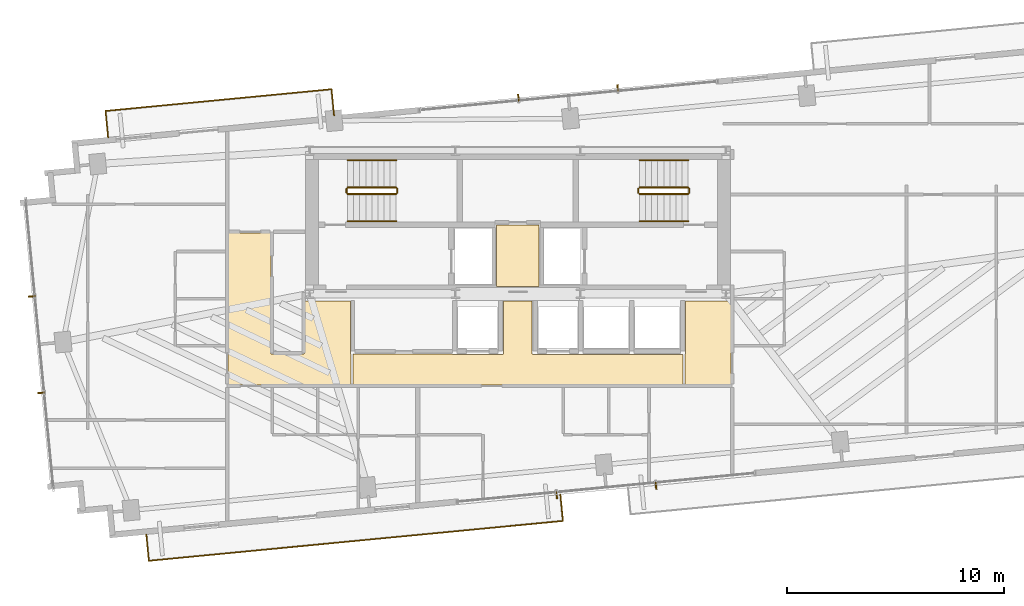
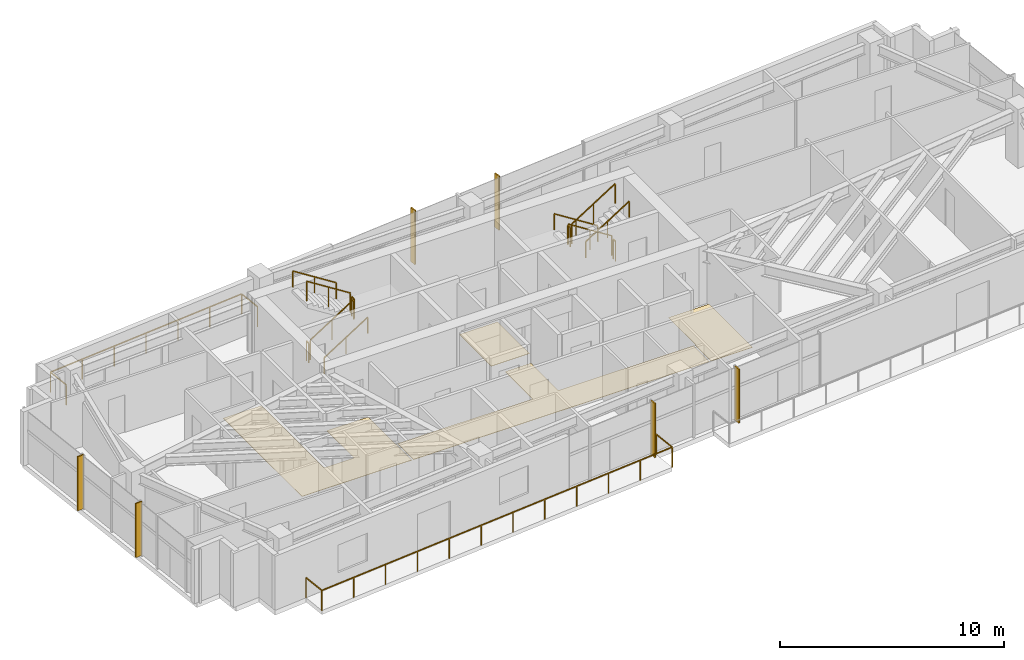
# One storey, part 17 of 18: 14 railings, 6 shading devices, 4 coverings.
"""IFC4 building model written with IfcOpenShell, lengths in metres."""

from ifc_helpers import new_model, si_unit, direction, frame, origin, origin_2d, place, context, subcontext, project, spatial, polyline, rectangle, outline, extrude, source, transform, mapped, material, layer, layer_set, type_object, type_shapes, element, save


model = new_model("IFC4")

# Units and contexts
model_context = context("Model", 3, precision=1e-05, world=origin(), true_north=direction((0.0, 1.0)))
body_context = subcontext(model_context, "Body", "Model", "MODEL_VIEW")
ifc_project = project(units=[si_unit("LENGTHUNIT", "METRE"), si_unit("AREAUNIT", "SQUARE_METRE"), si_unit("VOLUMEUNIT", "CUBIC_METRE"), si_unit("PLANEANGLEUNIT", "RADIAN"), si_unit("MASSUNIT", "GRAM", prefix="KILO")], contexts=[model_context])

# Site, building, storey
site_placement = place(None, origin())
site = spatial("IfcSite", under=ifc_project, at=site_placement, CompositionType="ELEMENT")
building_placement = place(site_placement, origin())
building = spatial("IfcBuilding", under=site, at=building_placement, Name="Astriad Promenade Condominiums", CompositionType="ELEMENT")
storey_placement = place(building_placement, frame((0.0, 0.0, 176.199951171875)))
storey = spatial("IfcBuildingStorey", under=building, at=storey_placement, Name="L50", CompositionType="ELEMENT", Elevation=176.199951171875)

# Coverings
ifc_material_1 = material(Name="Polished Lakefront Terrazzo Flooring")
ifc_layer = layer(ifc_material_1, 0.02001953125)
ifc_layer_set = layer_set([ifc_layer], Name="Polished Lakefront Terrazzo Flooring")
covering_type = type_object("IfcCoveringType", Name="COV-FLOR-TERRAZZO-20", PredefinedType="FLOORING", material=ifc_layer_set)
covering_1_placement = place(storey_placement, origin())
element("IfcCovering", 1, at=covering_1_placement, inside=storey, type_object=covering_type, Name="FLR-L50-CSL", PredefinedType="FLOORING", context=body_context, shape_type="SweptSolid", body=[
    extrude(outline(polyline([(36.97998046875, 17.739990234375), (35.02001953125, 17.739990234375), (35.02001953125, 20.580078125), (36.97998046875, 20.580078125), (36.97998046875, 17.739990234375)])), origin(), (0.0, 0.0, 1.0), 0.02001953125),
])
covering_2_placement = place(storey_placement, origin())
element("IfcCovering", 2, at=covering_2_placement, inside=storey, type_object=covering_type, Name="FLR-L50-LLB", PredefinedType="FLOORING", context=body_context, shape_type="SweptSolid", body=[
    extrude(outline(polyline([(32.9736328125, 14.6201171875), (32.974609375, 14.619140625), (32.977783203125, 14.61669921875), (32.981201171875, 14.61474609375), (32.984619140625, 14.613037109375), (32.98828125, 14.61181640625), (32.9921875, 14.61083984375), (32.99609375, 14.610107421875), (33.0, 14.610107421875), (35.300048828125, 14.610107421875), (35.303955078125, 14.610107421875), (35.307861328125, 14.61083984375), (35.3115234375, 14.61181640625), (35.315185546875, 14.613037109375), (35.31884765625, 14.61474609375), (35.322265625, 14.61669921875), (35.325439453125, 14.619140625), (35.328369140625, 14.62158203125), (35.330810546875, 14.62451171875), (35.333251953125, 14.627685546875), (35.335205078125, 14.631103515625), (35.3369140625, 14.634765625), (35.33837890625, 14.638427734375), (35.339111328125, 14.64208984375), (35.33984375, 14.64599609375), (35.340087890625, 14.64990234375), (35.340087890625, 17.06005859375), (36.659912109375, 17.06005859375), (36.659912109375, 14.64990234375), (36.66015625, 14.64599609375), (36.660888671875, 14.64208984375), (36.66162109375, 14.638427734375), (36.6630859375, 14.634765625), (36.664794921875, 14.631103515625), (36.666748046875, 14.627685546875), (36.669189453125, 14.62451171875), (36.671630859375, 14.62158203125), (36.674560546875, 14.619140625), (36.677734375, 14.61669921875), (36.68115234375, 14.61474609375), (36.684814453125, 14.613037109375), (36.6884765625, 14.61181640625), (36.692138671875, 14.61083984375), (36.696044921875, 14.610107421875), (36.699951171875, 14.610107421875), (43.610107421875, 14.610107421875), (43.610107421875, 13.18994140625), (28.389892578125, 13.18994140625), (28.389892578125, 14.6201171875), (32.9736328125, 14.6201171875)])), origin(), (0.0, 0.0, 1.0), 0.02001953125),
])
covering_3_placement = place(storey_placement, origin())
element("IfcCovering", 3, at=covering_3_placement, inside=storey, type_object=covering_type, Name="FLR-L50-COR-1", PredefinedType="FLOORING", context=body_context, shape_type="SweptSolid", body=[
    extrude(outline(polyline([(43.699951171875, 13.18994140625), (43.699951171875, 14.610107421875), (43.703857421875, 14.610107421875), (43.707763671875, 14.61083984375), (43.711669921875, 14.61181640625), (43.71533203125, 14.613037109375), (43.718994140625, 14.61474609375), (43.72216796875, 14.61669921875), (43.725341796875, 14.619140625), (43.728271484375, 14.62158203125), (43.73095703125, 14.62451171875), (43.7333984375, 14.627685546875), (43.7353515625, 14.631103515625), (43.737060546875, 14.634765625), (43.73828125, 14.638427734375), (43.7392578125, 14.64208984375), (43.73974609375, 14.64599609375), (43.739990234375, 14.64990234375), (43.739990234375, 17.06005859375), (45.840087890625, 17.06005859375), (45.840087890625, 13.18994140625), (43.699951171875, 13.18994140625)])), origin(), (0.0, 0.0, 1.0), 0.02001953125),
])
covering_4_placement = place(storey_placement, origin())
element("IfcCovering", 4, at=covering_4_placement, inside=storey, type_object=covering_type, Name="FLR-L50-COR-2", PredefinedType="FLOORING", context=body_context, shape_type="SweptSolid", body=[
    extrude(outline(polyline([(28.300048828125, 13.18994140625), (22.639892578125, 13.18994140625), (22.639892578125, 20.2099609375), (24.610107421875, 20.2099609375), (24.610107421875, 14.659912109375), (24.610107421875, 14.656005859375), (24.61083984375, 14.652099609375), (24.61181640625, 14.6484375), (24.613037109375, 14.644775390625), (24.61474609375, 14.64111328125), (24.61669921875, 14.6376953125), (24.619140625, 14.634521484375), (24.62158203125, 14.631591796875), (24.62451171875, 14.629150390625), (24.627685546875, 14.626708984375), (24.631103515625, 14.624755859375), (24.634765625, 14.623046875), (24.638427734375, 14.62158203125), (24.64208984375, 14.620849609375), (24.64599609375, 14.6201171875), (24.64990234375, 14.6201171875), (26.1201171875, 14.6201171875), (26.123779296875, 14.6201171875), (26.127685546875, 14.620849609375), (26.131591796875, 14.62158203125), (26.13525390625, 14.623046875), (26.138916015625, 14.624755859375), (26.14208984375, 14.626708984375), (26.1455078125, 14.629150390625), (26.148193359375, 14.631591796875), (26.15087890625, 14.634521484375), (26.1533203125, 14.6376953125), (26.1552734375, 14.64111328125), (26.156982421875, 14.644775390625), (26.158203125, 14.6484375), (26.1591796875, 14.652099609375), (26.159912109375, 14.656005859375), (26.159912109375, 14.659912109375), (26.159912109375, 17.06005859375), (28.280029296875, 17.06005859375), (28.280029296875, 14.659912109375), (28.2802734375, 14.656005859375), (28.28076171875, 14.652099609375), (28.28173828125, 14.6484375), (28.282958984375, 14.644775390625), (28.28466796875, 14.64111328125), (28.28662109375, 14.6376953125), (28.2890625, 14.634521484375), (28.291748046875, 14.631591796875), (28.294677734375, 14.629150390625), (28.2978515625, 14.626708984375), (28.300048828125, 14.62548828125), (28.300048828125, 13.18994140625)])), origin(), (0.0, 0.0, 1.0), 0.02001953125),
])

# Shading devices
ifc_material_2 = material(Name="Anodised aluminium 6063-T6 Black Fin", Category="aluminium")
shading_device_type = type_object("IfcShadingDeviceType", Name="FIN-BLACK-260", PredefinedType="USERDEFINED", material=ifc_material_2)
shared_shape_1 = source(origin(), body_context, "Body", "SweptSolid", [
    extrude(rectangle(XDim=0.06494140625, YDim=0.320068359375, at=origin_2d()), origin(), (0.0, 0.0, 1.0), 2.93994140625),
])
type_shapes(shading_device_type, [shared_shape_1])
for number, where, z_axis, x_axis, name in (
    (5, (14.021484375, 12.83203125, 0.0), (0.0, 0.0, 1.0), (-0.09584575252, 0.995396198367, 0.0), "CW-L50-W-FIN-01"),
    (6, (13.59326171875, 17.278076171875, 0.0), (0.0, 0.0, 1.0), (-0.09584575252, 0.995396198367, 0.0), "CW-L50-W-FIN-02"),
    (7, (36.02783203125, 26.447265625, 0.0), (0.0, 0.0, 1.0), (0.995396198367, 0.09584575252, 0.0), "CW-L50-N-FIN-01"),
    (8, (40.606689453125, 26.88818359375, 0.0), (0.0, 0.0, 1.0), (0.995396198367, 0.09584575252, 0.0), "CW-L50-N-FIN-02"),
    (9, (42.3720703125, 8.552734375, 0.0), (0.0, 0.0, 1.0), (-0.995396198367, -0.09584575252, 0.0), "CW-L50-S-FIN-01"),
    (10, (37.793212890625, 8.11181640625, 0.0), (0.0, 0.0, 1.0), (-0.995396198367, -0.09584575252, 0.0), "CW-L50-S-FIN-02"),
):
    element("IfcShadingDevice", number, at=place(storey_placement, frame(where, z_axis=z_axis, x_axis=x_axis)), inside=storey, type_object=shading_device_type, Name=name, ObjectType="FIN", PredefinedType="USERDEFINED", context=body_context, shape_type="MappedRepresentation", body=[
        mapped(shared_shape_1, transform((0.0, 0.0, 0.0), scale=1.0)),
    ])

# Railings
ifc_material_3 = material(Name="Laminated Glass and Stainless Steel Balustrade", Category="steel")
railing_type_1 = type_object("IfcRailingType", Name="GRD-BALC-1120", PredefinedType="BALUSTRADE", material=ifc_material_3)
shared_shape_2 = source(origin(), body_context, "Body", "SweptSolid", [
    extrude(rectangle(XDim=0.048095703125, YDim=0.048095703125, at=origin_2d()), frame((0.0, 0.0, 1.09619140625), z_axis=(0.095857307208, -0.99539508571, 0.0), x_axis=(0.99539508571, 0.095857307208, 0.0)), (0.0, 0.0, 1.0), 1.219970703125),
    extrude(rectangle(XDim=0.048095703125, YDim=0.048095703125, at=origin_2d()), frame((0.116943359375, -1.21435546875, 1.09619140625), z_axis=(0.995395680932, 0.095851126139, 0.0), x_axis=(-0.095851126139, 0.995395680932, 0.0)), (0.0, 0.0, 1.0), 19.18212890625),
    extrude(rectangle(XDim=0.048095703125, YDim=0.048095703125, at=origin_2d()), frame((19.210693359375, 0.624267578125, 1.09619140625), z_axis=(-0.095857307208, 0.99539508571, 0.0), x_axis=(-0.99539508571, -0.095857307208, 0.0)), (0.0, 0.0, 1.0), 1.219970703125),
    extrude(rectangle(XDim=0.0419921875, YDim=0.0419921875, at=origin_2d()), origin(), (0.0, 0.0, 1.0), 1.072021484375),
    extrude(rectangle(XDim=0.0419921875, YDim=0.0419921875, at=origin_2d()), frame((0.116943359375, -1.21435546875, 0.0)), (0.0, 0.0, 1.0), 1.072021484375),
    extrude(rectangle(XDim=0.0419921875, YDim=0.0419921875, at=origin_2d()), frame((1.852783203125, -1.047119140625, 0.0)), (0.0, 0.0, 1.0), 1.072021484375),
    extrude(rectangle(XDim=0.0419921875, YDim=0.0419921875, at=origin_2d()), frame((3.588623046875, -0.880126953125, 0.0)), (0.0, 0.0, 1.0), 1.072021484375),
    extrude(rectangle(XDim=0.0419921875, YDim=0.0419921875, at=origin_2d()), frame((5.32421875, -0.712890625, 0.0)), (0.0, 0.0, 1.0), 1.072021484375),
    extrude(rectangle(XDim=0.0419921875, YDim=0.0419921875, at=origin_2d()), frame((7.06005859375, -0.545654296875, 0.0)), (0.0, 0.0, 1.0), 1.072021484375),
    extrude(rectangle(XDim=0.0419921875, YDim=0.0419921875, at=origin_2d()), frame((8.7958984375, -0.378662109375, 0.0)), (0.0, 0.0, 1.0), 1.072021484375),
    extrude(rectangle(XDim=0.0419921875, YDim=0.0419921875, at=origin_2d()), frame((10.53173828125, -0.21142578125, 0.0)), (0.0, 0.0, 1.0), 1.072021484375),
    extrude(rectangle(XDim=0.0419921875, YDim=0.0419921875, at=origin_2d()), frame((12.267578125, -0.04443359375, 0.0)), (0.0, 0.0, 1.0), 1.072021484375),
    extrude(rectangle(XDim=0.0419921875, YDim=0.0419921875, at=origin_2d()), frame((14.00341796875, 0.122802734375, 0.0)), (0.0, 0.0, 1.0), 1.072021484375),
    extrude(rectangle(XDim=0.0419921875, YDim=0.0419921875, at=origin_2d()), frame((15.739013671875, 0.2900390625, 0.0)), (0.0, 0.0, 1.0), 1.072021484375),
    extrude(rectangle(XDim=0.0419921875, YDim=0.0419921875, at=origin_2d()), frame((17.474853515625, 0.45703125, 0.0)), (0.0, 0.0, 1.0), 1.072021484375),
    extrude(rectangle(XDim=0.0419921875, YDim=0.0419921875, at=origin_2d()), frame((19.210693359375, 0.624267578125, 0.0)), (0.0, 0.0, 1.0), 1.072021484375),
    extrude(rectangle(XDim=0.0419921875, YDim=0.0419921875, at=origin_2d()), frame((19.09375, 1.838623046875, 0.0)), (0.0, 0.0, 1.0), 1.072021484375),
])
railing_1_placement = place(storey_placement, frame((18.869873046875, 6.2998046875, 0.0)))
element("IfcRailing", 11, at=railing_1_placement, inside=storey, type_object=railing_type_1, Name="GRD-BALC-L50-SW", PredefinedType="BALUSTRADE", context=body_context, shape_type="MappedRepresentation", body=[
    mapped(shared_shape_2, transform((0.0, 0.0, 0.0), scale=1.0)),
])
shared_shape_3 = source(origin(), body_context, "Body", "SweptSolid", [
    extrude(rectangle(XDim=0.048095703125, YDim=0.048095703125, at=origin_2d()), frame((0.0, 0.0, 1.09619140625), z_axis=(-0.095857307208, 0.99539508571, 0.0), x_axis=(-0.99539508571, -0.095857307208, 0.0)), (0.0, 0.0, 1.0), 1.219970703125),
    extrude(rectangle(XDim=0.048095703125, YDim=0.048095703125, at=origin_2d()), frame((-0.116943359375, 1.21435546875, 1.09619140625), z_axis=(-0.99539684484, -0.095839038403, 0.0), x_axis=(0.095839038403, -0.99539684484, 0.0)), (0.0, 0.0, 1.0), 10.4697265625),
    extrude(rectangle(XDim=0.048095703125, YDim=0.048095703125, at=origin_2d()), frame((-10.53857421875, 0.2109375, 1.09619140625), z_axis=(0.095659020692, -0.99541416092, 0.0), x_axis=(0.99541416092, 0.095659020692, 0.0)), (0.0, 0.0, 1.0), 1.219970703125),
    extrude(rectangle(XDim=0.0419921875, YDim=0.0419921875, at=origin_2d()), origin(), (0.0, 0.0, 1.0), 1.072021484375),
    extrude(rectangle(XDim=0.0419921875, YDim=0.0419921875, at=origin_2d()), frame((-0.116943359375, 1.21435546875, 0.0)), (0.0, 0.0, 1.0), 1.072021484375),
    extrude(rectangle(XDim=0.0419921875, YDim=0.0419921875, at=origin_2d()), frame((-1.85400390625, 1.047119140625, 0.0)), (0.0, 0.0, 1.0), 1.072021484375),
    extrude(rectangle(XDim=0.0419921875, YDim=0.0419921875, at=origin_2d()), frame((-3.5908203125, 0.8798828125, 0.0)), (0.0, 0.0, 1.0), 1.072021484375),
    extrude(rectangle(XDim=0.0419921875, YDim=0.0419921875, at=origin_2d()), frame((-5.32763671875, 0.712646484375, 0.0)), (0.0, 0.0, 1.0), 1.072021484375),
    extrude(rectangle(XDim=0.0419921875, YDim=0.0419921875, at=origin_2d()), frame((-7.064697265625, 0.54541015625, 0.0)), (0.0, 0.0, 1.0), 1.072021484375),
    extrude(rectangle(XDim=0.0419921875, YDim=0.0419921875, at=origin_2d()), frame((-8.8017578125, 0.378173828125, 0.0)), (0.0, 0.0, 1.0), 1.072021484375),
    extrude(rectangle(XDim=0.0419921875, YDim=0.0419921875, at=origin_2d()), frame((-10.53857421875, 0.2109375, 0.0)), (0.0, 0.0, 1.0), 1.072021484375),
    extrude(rectangle(XDim=0.0419921875, YDim=0.0419921875, at=origin_2d()), frame((-10.421875, -1.00341796875, 0.0)), (0.0, 0.0, 1.0), 1.072021484375),
])
type_shapes(railing_type_1, [shared_shape_2, shared_shape_3])
railing_2_placement = place(storey_placement, frame((27.528076171875, 25.61865234375, 0.0)))
element("IfcRailing", 12, at=railing_2_placement, inside=storey, type_object=railing_type_1, Name="GRD-BALC-L50-NW", PredefinedType="BALUSTRADE", context=body_context, shape_type="MappedRepresentation", body=[
    mapped(shared_shape_3, transform((0.0, 0.0, 0.0), scale=1.0)),
])
ifc_material_4 = material(Name="Painted Galvanised Steel Guardrail", Category="steel")
railing_type_2 = type_object("IfcRailingType", Name="GRD-STAIR-1100", PredefinedType="GUARDRAIL", material=ifc_material_4)
shared_shape_4 = source(origin(), body_context, "Body", "SweptSolid", [
    extrude(rectangle(XDim=0.048095703125, YDim=0.048095703125, at=origin_2d()), frame((0.0, 0.0, 1.076171875), z_axis=(0.0, 1.0, 0.0), x_axis=(-1.0, 0.0, 0.0)), (0.0, 0.0, 1.0), 0.199951171875),
    extrude(rectangle(XDim=0.0419921875, YDim=0.0419921875, at=origin_2d()), origin(), (0.0, 0.0, 1.0), 1.052001953125),
    extrude(rectangle(XDim=0.0419921875, YDim=0.0419921875, at=origin_2d()), frame((0.0, 0.199951171875, 0.0)), (0.0, 0.0, 1.0), 1.052001953125),
])
for number, where, name in (
    (13, (30.43994140625, 22.050048828125, 1.60009765625), "L50 ST-1 stair guard 2"),
    (14, (28.10009765625, 22.050048828125, 0.0), "L50 ST-1 stair guard 4"),
):
    element("IfcRailing", number, at=place(storey_placement, frame(where)), inside=storey, type_object=railing_type_2, Name=name, PredefinedType="GUARDRAIL", context=body_context, shape_type="MappedRepresentation", body=[
        mapped(shared_shape_4, transform((0.0, 0.0, 0.0), scale=1.0)),
    ])
shared_shape_5 = source(origin(), body_context, "Body", "SweptSolid", [
    extrude(rectangle(XDim=0.048095703125, YDim=0.048095703125, at=origin_2d()), frame((0.0, 0.0, 1.076171875), z_axis=(0.84418770128, 0.0, 0.536047689118), x_axis=(0.0, 1.0, 0.0)), (0.0, 0.0, 1.0), 2.6533203125),
    extrude(rectangle(XDim=0.0419921875, YDim=0.0419921875, at=origin_2d()), origin(), (0.0, 0.0, 1.0), 1.052001953125),
    extrude(rectangle(XDim=0.0419921875, YDim=0.0419921875, at=origin_2d()), frame((1.1201171875, 0.0, 0.711181640625)), (0.0, 0.0, 1.0), 1.052001953125),
    extrude(rectangle(XDim=0.0419921875, YDim=0.0419921875, at=origin_2d()), frame((2.239990234375, 0.0, 1.42236328125)), (0.0, 0.0, 1.0), 1.052001953125),
])
railing_3_placement = place(storey_placement, frame((28.14990234375, 22.0, 0.177734375)))
element("IfcRailing", 15, at=railing_3_placement, inside=storey, type_object=railing_type_2, Name="L50 ST-1 stair guard 1", PredefinedType="GUARDRAIL", context=body_context, shape_type="MappedRepresentation", body=[
    mapped(shared_shape_5, transform((0.0, 0.0, 0.0), scale=1.0)),
])
shared_shape_6 = source(origin(), body_context, "Body", "SweptSolid", [
    extrude(rectangle(XDim=0.048095703125, YDim=0.048095703125, at=origin_2d()), frame((0.0, 0.0, 1.076171875), z_axis=(-0.8442293374, 0.0, 0.53598211339), x_axis=(0.0, -1.0, 0.0)), (0.0, 0.0, 1.0), 2.6533203125),
    extrude(rectangle(XDim=0.0419921875, YDim=0.0419921875, at=origin_2d()), origin(), (0.0, 0.0, 1.0), 1.052001953125),
    extrude(rectangle(XDim=0.0419921875, YDim=0.0419921875, at=origin_2d()), frame((-1.1201171875, 0.0, 0.7109375)), (0.0, 0.0, 1.0), 1.052001953125),
    extrude(rectangle(XDim=0.0419921875, YDim=0.0419921875, at=origin_2d()), frame((-2.239990234375, 0.0, 1.422119140625)), (0.0, 0.0, 1.0), 1.052001953125),
])
railing_4_placement = place(storey_placement, frame((30.389892578125, 22.300048828125, 1.77783203125)))
element("IfcRailing", 16, at=railing_4_placement, inside=storey, type_object=railing_type_2, Name="L50 ST-1 stair guard 3", PredefinedType="GUARDRAIL", context=body_context, shape_type="MappedRepresentation", body=[
    mapped(shared_shape_6, transform((0.0, 0.0, 0.0), scale=1.0)),
])
ifc_material_5 = material(Name="Brushed Stainless Steel Handrail", Category="steel")
railing_type_3 = type_object("IfcRailingType", Name="HRL-STAIR-920", PredefinedType="HANDRAIL", material=ifc_material_5)
shared_shape_7 = source(origin(), body_context, "Body", "SweptSolid", [
    extrude(rectangle(XDim=0.048095703125, YDim=0.048095703125, at=origin_2d()), frame((0.0, 0.0, 0.8759765625), z_axis=(0.84418770128, 0.0, 0.536047689118), x_axis=(0.0, 1.0, 0.0)), (0.0, 0.0, 1.0), 2.6533203125),
    extrude(rectangle(XDim=0.0419921875, YDim=0.0419921875, at=origin_2d()), origin(), (0.0, 0.0, 1.0), 0.851806640625),
    extrude(rectangle(XDim=0.0419921875, YDim=0.0419921875, at=origin_2d()), frame((1.1201171875, 0.0, 0.711181640625)), (0.0, 0.0, 1.0), 0.851806640625),
    extrude(rectangle(XDim=0.0419921875, YDim=0.0419921875, at=origin_2d()), frame((2.239990234375, 0.0, 1.42236328125)), (0.0, 0.0, 1.0), 0.851806640625),
])
railing_5_placement = place(storey_placement, frame((28.14990234375, 20.75, 0.177734375)))
element("IfcRailing", 17, at=railing_5_placement, inside=storey, type_object=railing_type_3, Name="L50 ST-1 stair handrail 1", PredefinedType="HANDRAIL", context=body_context, shape_type="MappedRepresentation", body=[
    mapped(shared_shape_7, transform((0.0, 0.0, 0.0), scale=1.0)),
])
shared_shape_8 = source(origin(), body_context, "Body", "SweptSolid", [
    extrude(rectangle(XDim=0.048095703125, YDim=0.048095703125, at=origin_2d()), frame((0.0, 0.0, 0.8759765625), z_axis=(-0.8442293374, 0.0, 0.53598211339), x_axis=(0.0, -1.0, 0.0)), (0.0, 0.0, 1.0), 2.6533203125),
    extrude(rectangle(XDim=0.0419921875, YDim=0.0419921875, at=origin_2d()), origin(), (0.0, 0.0, 1.0), 0.851806640625),
    extrude(rectangle(XDim=0.0419921875, YDim=0.0419921875, at=origin_2d()), frame((-1.1201171875, 0.0, 0.7109375)), (0.0, 0.0, 1.0), 0.851806640625),
    extrude(rectangle(XDim=0.0419921875, YDim=0.0419921875, at=origin_2d()), frame((-2.239990234375, 0.0, 1.422119140625)), (0.0, 0.0, 1.0), 0.851806640625),
])
railing_6_placement = place(storey_placement, frame((30.389892578125, 23.550048828125, 1.77783203125)))
element("IfcRailing", 18, at=railing_6_placement, inside=storey, type_object=railing_type_3, Name="L50 ST-1 stair handrail 2", PredefinedType="HANDRAIL", context=body_context, shape_type="MappedRepresentation", body=[
    mapped(shared_shape_8, transform((0.0, 0.0, 0.0), scale=1.0)),
])
shared_shape_9 = source(origin(), body_context, "Body", "SweptSolid", [
    extrude(rectangle(XDim=0.048095703125, YDim=0.048095703125, at=origin_2d()), frame((0.0, 0.0, 1.076171875), z_axis=(0.8442293374, 0.0, 0.53598211339), x_axis=(0.0, 1.0, 0.0)), (0.0, 0.0, 1.0), 2.6533203125),
    extrude(rectangle(XDim=0.0419921875, YDim=0.0419921875, at=origin_2d()), origin(), (0.0, 0.0, 1.0), 1.052001953125),
    extrude(rectangle(XDim=0.0419921875, YDim=0.0419921875, at=origin_2d()), frame((1.1201171875, 0.0, 0.7109375)), (0.0, 0.0, 1.0), 1.052001953125),
    extrude(rectangle(XDim=0.0419921875, YDim=0.0419921875, at=origin_2d()), frame((2.239990234375, 0.0, 1.422119140625)), (0.0, 0.0, 1.0), 1.052001953125),
])
railing_7_placement = place(storey_placement, frame((41.610107421875, 22.0, 1.77783203125)))
element("IfcRailing", 19, at=railing_7_placement, inside=storey, type_object=railing_type_2, Name="L50 ST-2 stair guard 3", PredefinedType="GUARDRAIL", context=body_context, shape_type="MappedRepresentation", body=[
    mapped(shared_shape_9, transform((0.0, 0.0, 0.0), scale=1.0)),
])
shared_shape_10 = source(origin(), body_context, "Body", "SweptSolid", [
    extrude(rectangle(XDim=0.048095703125, YDim=0.048095703125, at=origin_2d()), frame((0.0, 0.0, 1.076171875), z_axis=(-0.84418770128, 0.0, 0.536047689118), x_axis=(0.0, -1.0, 0.0)), (0.0, 0.0, 1.0), 2.6533203125),
    extrude(rectangle(XDim=0.0419921875, YDim=0.0419921875, at=origin_2d()), origin(), (0.0, 0.0, 1.0), 1.052001953125),
    extrude(rectangle(XDim=0.0419921875, YDim=0.0419921875, at=origin_2d()), frame((-1.1201171875, 0.0, 0.711181640625)), (0.0, 0.0, 1.0), 1.052001953125),
    extrude(rectangle(XDim=0.0419921875, YDim=0.0419921875, at=origin_2d()), frame((-2.239990234375, 0.0, 1.42236328125)), (0.0, 0.0, 1.0), 1.052001953125),
])
railing_8_placement = place(storey_placement, frame((43.85009765625, 22.300048828125, 0.177734375)))
element("IfcRailing", 20, at=railing_8_placement, inside=storey, type_object=railing_type_2, Name="L50 ST-2 stair guard 1", PredefinedType="GUARDRAIL", context=body_context, shape_type="MappedRepresentation", body=[
    mapped(shared_shape_10, transform((0.0, 0.0, 0.0), scale=1.0)),
])
shared_shape_11 = source(origin(), body_context, "Body", "SweptSolid", [
    extrude(rectangle(XDim=0.048095703125, YDim=0.048095703125, at=origin_2d()), frame((0.0, 0.0, 0.8759765625), z_axis=(0.8442293374, 0.0, 0.53598211339), x_axis=(0.0, 1.0, 0.0)), (0.0, 0.0, 1.0), 2.6533203125),
    extrude(rectangle(XDim=0.0419921875, YDim=0.0419921875, at=origin_2d()), origin(), (0.0, 0.0, 1.0), 0.851806640625),
    extrude(rectangle(XDim=0.0419921875, YDim=0.0419921875, at=origin_2d()), frame((1.1201171875, 0.0, 0.7109375)), (0.0, 0.0, 1.0), 0.851806640625),
    extrude(rectangle(XDim=0.0419921875, YDim=0.0419921875, at=origin_2d()), frame((2.239990234375, 0.0, 1.422119140625)), (0.0, 0.0, 1.0), 0.851806640625),
])
railing_9_placement = place(storey_placement, frame((41.610107421875, 20.75, 1.77783203125)))
element("IfcRailing", 21, at=railing_9_placement, inside=storey, type_object=railing_type_3, Name="L50 ST-2 stair handrail 2", PredefinedType="HANDRAIL", context=body_context, shape_type="MappedRepresentation", body=[
    mapped(shared_shape_11, transform((0.0, 0.0, 0.0), scale=1.0)),
])
shared_shape_12 = source(origin(), body_context, "Body", "SweptSolid", [
    extrude(rectangle(XDim=0.048095703125, YDim=0.048095703125, at=origin_2d()), frame((0.0, 0.0, 0.8759765625), z_axis=(-0.84418770128, 0.0, 0.536047689118), x_axis=(0.0, -1.0, 0.0)), (0.0, 0.0, 1.0), 2.6533203125),
    extrude(rectangle(XDim=0.0419921875, YDim=0.0419921875, at=origin_2d()), origin(), (0.0, 0.0, 1.0), 0.851806640625),
    extrude(rectangle(XDim=0.0419921875, YDim=0.0419921875, at=origin_2d()), frame((-1.1201171875, 0.0, 0.711181640625)), (0.0, 0.0, 1.0), 0.851806640625),
    extrude(rectangle(XDim=0.0419921875, YDim=0.0419921875, at=origin_2d()), frame((-2.239990234375, 0.0, 1.42236328125)), (0.0, 0.0, 1.0), 0.851806640625),
])
type_shapes(railing_type_3, [shared_shape_7, shared_shape_8, shared_shape_11, shared_shape_12])
railing_10_placement = place(storey_placement, frame((43.85009765625, 23.550048828125, 0.177734375)))
element("IfcRailing", 22, at=railing_10_placement, inside=storey, type_object=railing_type_3, Name="L50 ST-2 stair handrail 1", PredefinedType="HANDRAIL", context=body_context, shape_type="MappedRepresentation", body=[
    mapped(shared_shape_12, transform((0.0, 0.0, 0.0), scale=1.0)),
])
shared_shape_13 = source(origin(), body_context, "Body", "SweptSolid", [
    extrude(rectangle(XDim=0.048095703125, YDim=0.048095703125, at=origin_2d()), frame((0.0, 0.0, 1.076171875), z_axis=(0.0, -1.0, 0.0), x_axis=(1.0, 0.0, 0.0)), (0.0, 0.0, 1.0), 0.199951171875),
    extrude(rectangle(XDim=0.0419921875, YDim=0.0419921875, at=origin_2d()), origin(), (0.0, 0.0, 1.0), 1.052001953125),
    extrude(rectangle(XDim=0.0419921875, YDim=0.0419921875, at=origin_2d()), frame((0.0, -0.199951171875, 0.0)), (0.0, 0.0, 1.0), 1.052001953125),
])
type_shapes(railing_type_2, [shared_shape_4, shared_shape_5, shared_shape_6, shared_shape_9, shared_shape_10, shared_shape_13])
for number, where, name in (
    (23, (41.56005859375, 22.25, 1.60009765625), "L50 ST-2 stair guard 2"),
    (24, (43.89990234375, 22.25, 0.0), "L50 ST-2 stair guard 4"),
):
    element("IfcRailing", number, at=place(storey_placement, frame(where)), inside=storey, type_object=railing_type_2, Name=name, PredefinedType="GUARDRAIL", context=body_context, shape_type="MappedRepresentation", body=[
        mapped(shared_shape_13, transform((0.0, 0.0, 0.0), scale=1.0)),
    ])

save(model, "model.ifc")
